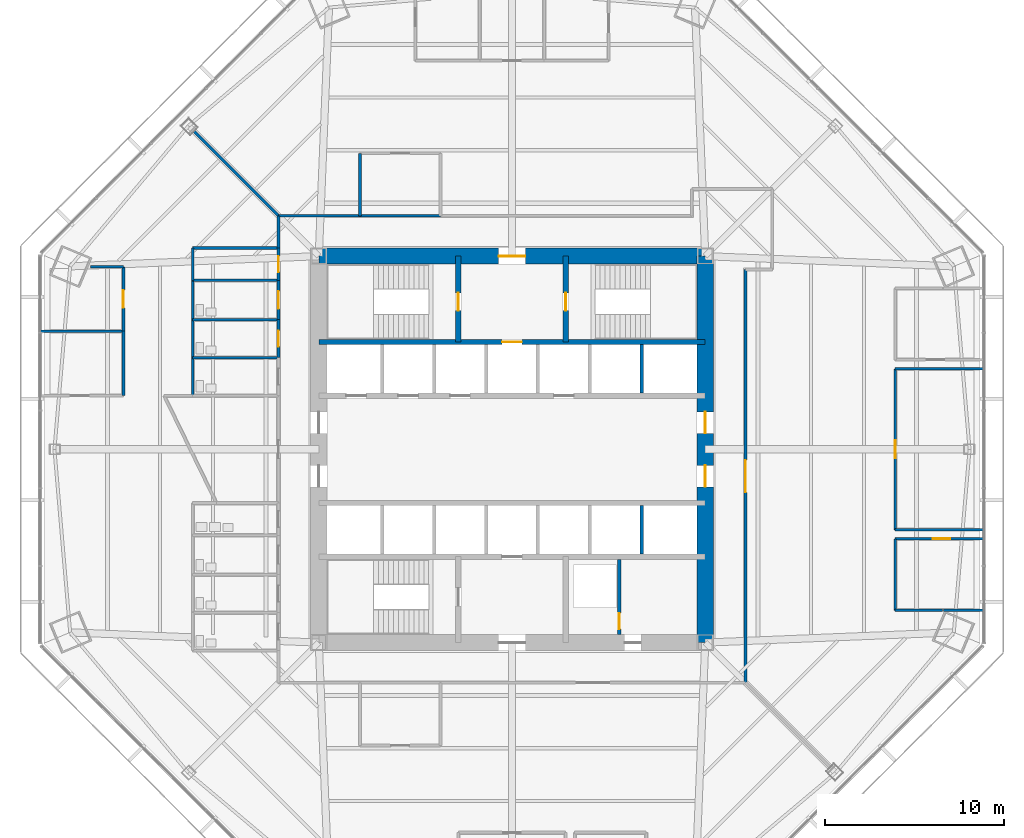
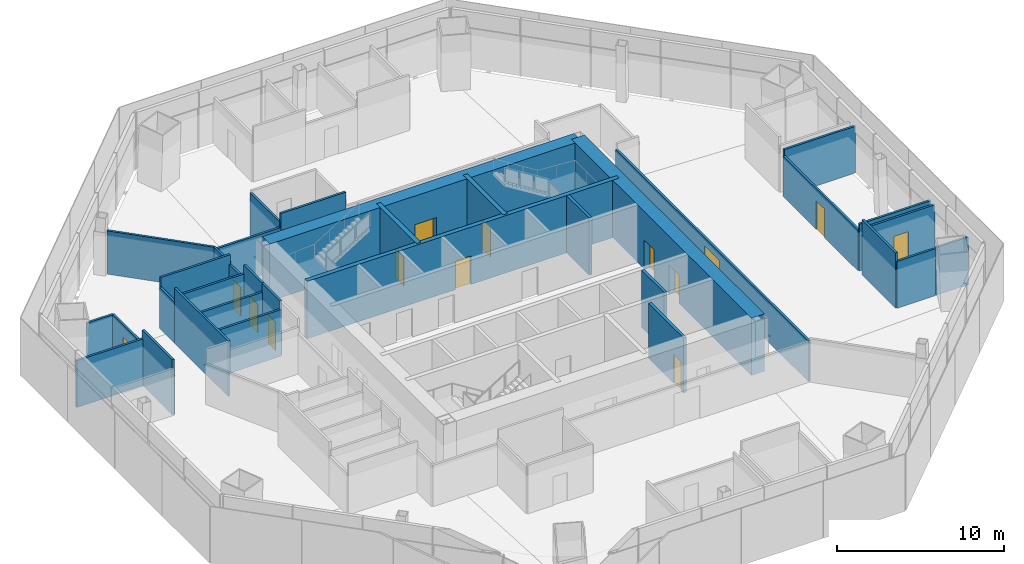
# One storey, part 11 of 15: 34 walls, 14 doors, 14 openings.
"""IFC4 building model written with IfcOpenShell, lengths in metres."""

from ifc_helpers import new_model, si_unit, direction, frame, frame_2d, origin, place, context, subcontext, project, spatial, rectangle, extrude, material, layer, layer_set, type_object, element, fill, save


model = new_model("IFC4")

# Units and contexts
model_context = context("Model", 3, precision=1e-05, world=origin(), true_north=direction((0.0, 1.0)))
body_context = subcontext(model_context, "Body", "Model", "MODEL_VIEW")
ifc_project = project(units=[si_unit("LENGTHUNIT", "METRE"), si_unit("AREAUNIT", "SQUARE_METRE"), si_unit("VOLUMEUNIT", "CUBIC_METRE"), si_unit("PLANEANGLEUNIT", "RADIAN"), si_unit("MASSUNIT", "GRAM", prefix="KILO")], contexts=[model_context])

# Site, building, storey
site_placement = place(None, origin())
site = spatial("IfcSite", under=ifc_project, at=site_placement, CompositionType="ELEMENT")
building_placement = place(site_placement, origin())
building = spatial("IfcBuilding", under=site, at=building_placement, Name="Mashrafa Tower", CompositionType="ELEMENT")
storey_placement = place(building_placement, frame((0.0, 0.0, 58.199951171875)))
storey = spatial("IfcBuildingStorey", under=building, at=storey_placement, Name="L12", CompositionType="ELEMENT", Elevation=58.199951171875)

# Wall, opening, door
ifc_material_1 = material(Name="Concrete masonry unit", Category="masonry")
ifc_layer_1 = layer(ifc_material_1, 0.199951171875)
ifc_layer_set_1 = layer_set([ifc_layer_1], Name="Blockwork wall 200 2 hr")
wall_type_1 = type_object("IfcWallType", Name="Blockwork wall 200 2 hr", PredefinedType="PARTITIONING", material=ifc_layer_set_1)
wall_1_placement = place(storey_placement, frame((6.0, -10.35009765625, 0.0), z_axis=(0.0, 0.0, 1.0), x_axis=(0.0, 1.0, 0.0)))
wall_1 = element("IfcWall", 1, at=wall_1_placement, inside=storey, type_object=wall_type_1, Name="Riser enclosure wall L12", PredefinedType="PARTITIONING", context=body_context, shape_type="SweptSolid", body=[
    extrude(rectangle(XDim=4.2001953125, YDim=0.199951171875, at=frame_2d((2.10009765625, 0.0))), origin(), (0.0, 0.0, 1.0), 4.03515625),
])
opening_1_placement = place(wall_1_placement, frame((0.300048828125, 0.0, 0.0)))
opening_1 = element("IfcOpeningElement", 2, at=opening_1_placement, cuts=wall_1, Name="Opening 12.034", PredefinedType="OPENING", context=body_context, shape_type="SweptSolid", body=[
    extrude(rectangle(XDim=0.89990234375, YDim=2.10009765625, at=frame_2d((0.449951171875, 1.050048828125))), frame((0.0, 0.10986328125, 0.0), z_axis=(0.0, -1.0, 0.0), x_axis=(1.0, 0.0, 0.0)), (0.0, 0.0, 1.0), 0.219970703125),
])
ifc_material_2 = material(Name="Steel door", Category="steel")
door_type_1 = type_object("IfcDoorType", Name="Service door 900 x 2100 90 min", OperationType="USERDEFINED", PredefinedType="DOOR", material=ifc_material_2)
door_1_placement = place(opening_1_placement, origin())
door_1 = element("IfcDoor", 3, at=door_1_placement, inside=storey, type_object=door_type_1, Name="Riser door L12", OperationType="SINGLE_SWING_LEFT", OverallHeight=2.10009765625, OverallWidth=0.89990234375, PredefinedType="DOOR", context=body_context, shape_type="SweptSolid", body=[
    extrude(rectangle(XDim=0.89990234375, YDim=2.10009765625, at=frame_2d((0.449951171875, 1.050048828125))), frame((0.0, 0.02490234375, 0.0), z_axis=(0.0, -1.0, 0.0), x_axis=(1.0, 0.0, 0.0)), (0.0, 0.0, 1.0), 0.050048828125),
])
fill(opening_1, door_1)

ifc_material_3 = material(Name="Concrete C60/75", Category="concrete")
ifc_layer_2 = layer(ifc_material_3, 0.300048828125)
ifc_layer_set_2 = layer_set([ifc_layer_2], Name="Core wall 300 C60/75")
wall_type_2 = type_object("IfcWallType", Name="Core wall 300 C60/75", PredefinedType="SOLIDWALL", material=ifc_layer_set_2)
wall_2_placement = place(storey_placement, frame((-10.800048828125, 6.0, 0.0), z_axis=(0.0, 0.0, 1.0), x_axis=(1.0, 0.0, 0.0)))
wall_2 = element("IfcWall", 4, at=wall_2_placement, inside=storey, type_object=wall_type_2, Name="Core wall CB-N L12", PredefinedType="SOLIDWALL", context=body_context, shape_type="SweptSolid", body=[
    extrude(rectangle(XDim=21.60009765625, YDim=0.300048828125, at=frame_2d((10.800048828125, 0.0))), origin(), (0.0, 0.0, 1.0), 4.199951171875),
])
opening_2_placement = place(wall_2_placement, frame((10.25, 0.0, 0.0)))
opening_2 = element("IfcOpeningElement", 5, at=opening_2_placement, cuts=wall_2, Name="Opening 12.F1", PredefinedType="OPENING", context=body_context, shape_type="SweptSolid", body=[
    extrude(rectangle(XDim=1.10009765625, YDim=2.10009765625, at=frame_2d((0.550048828125, 1.050048828125))), frame((0.0, 0.159912109375, 0.0), z_axis=(0.0, -1.0, 0.0), x_axis=(1.0, 0.0, 0.0)), (0.0, 0.0, 1.0), 0.320068359375),
])
ifc_material_4 = material(Name="Steel door", Category="steel")
door_type_2 = type_object("IfcDoorType", Name="Lift landing door 1100 x 2100 90 min", OperationType="DOUBLE_DOOR_SLIDING", PredefinedType="DOOR", material=ifc_material_4)
door_2_placement = place(opening_2_placement, origin())
door_2 = element("IfcDoor", 6, at=door_2_placement, inside=storey, type_object=door_type_2, Name="Lift landing door F1 L12", OperationType="DOUBLE_DOOR_SLIDING", OverallHeight=2.10009765625, OverallWidth=1.10009765625, PredefinedType="DOOR", context=body_context, shape_type="SweptSolid", body=[
    extrude(rectangle(XDim=1.10009765625, YDim=2.10009765625, at=frame_2d((0.550048828125, 1.050048828125))), frame((0.0, 0.02490234375, 0.0), z_axis=(0.0, -1.0, 0.0), x_axis=(1.0, 0.0, 0.0)), (0.0, 0.0, 1.0), 0.050048828125),
])
fill(opening_2, door_2)

wall_3_placement = place(storey_placement, frame((-3.0, 6.0, 0.0), z_axis=(0.0, 0.0, 1.0), x_axis=(0.0, 1.0, 0.0)))
wall_3 = element("IfcWall", 7, at=wall_3_placement, inside=storey, type_object=wall_type_2, Name="Core wall CX-NW L12", PredefinedType="SOLIDWALL", context=body_context, shape_type="SweptSolid", body=[
    extrude(rectangle(XDim=4.800048828125, YDim=0.300048828125, at=frame_2d((2.39990234375, 0.0))), origin(), (0.0, 0.0, 1.0), 4.199951171875),
])
opening_3_placement = place(wall_3_placement, frame((1.75, 0.0, 0.0)))
opening_3 = element("IfcOpeningElement", 8, at=opening_3_placement, cuts=wall_3, Name="Opening 12.030", PredefinedType="OPENING", context=body_context, shape_type="SweptSolid", body=[
    extrude(rectangle(XDim=1.0, YDim=2.10009765625, at=frame_2d((0.5, 1.050048828125))), frame((0.0, 0.159912109375, 0.0), z_axis=(0.0, -1.0, 0.0), x_axis=(1.0, 0.0, 0.0)), (0.0, 0.0, 1.0), 0.320068359375),
])
ifc_material_5 = material(Name="Steel door", Category="steel")
door_type_3 = type_object("IfcDoorType", Name="Stair door 1000 x 2100 90 min", OperationType="USERDEFINED", PredefinedType="DOOR", material=ifc_material_5)
door_3_placement = place(opening_3_placement, origin())
door_3 = element("IfcDoor", 9, at=door_3_placement, inside=storey, type_object=door_type_3, Name="Stair S1 door L12", OperationType="SINGLE_SWING_LEFT", OverallHeight=2.10009765625, OverallWidth=1.0, PredefinedType="DOOR", context=body_context, shape_type="SweptSolid", body=[
    extrude(rectangle(XDim=1.0, YDim=2.10009765625, at=frame_2d((0.5, 1.050048828125))), frame((0.0, 0.02490234375, 0.0), z_axis=(0.0, -1.0, 0.0), x_axis=(1.0, 0.0, 0.0)), (0.0, 0.0, 1.0), 0.050048828125),
])
fill(opening_3, door_3)

wall_4_placement = place(storey_placement, frame((3.0, 6.0, 0.0), z_axis=(0.0, 0.0, 1.0), x_axis=(0.0, 1.0, 0.0)))
wall_4 = element("IfcWall", 10, at=wall_4_placement, inside=storey, type_object=wall_type_2, Name="Core wall CX-NE L12", PredefinedType="SOLIDWALL", context=body_context, shape_type="SweptSolid", body=[
    extrude(rectangle(XDim=4.800048828125, YDim=0.300048828125, at=frame_2d((2.39990234375, 0.0))), origin(), (0.0, 0.0, 1.0), 4.199951171875),
])
opening_4_placement = place(wall_4_placement, frame((1.75, 0.0, 0.0)))
opening_4 = element("IfcOpeningElement", 11, at=opening_4_placement, cuts=wall_4, Name="Opening 12.031", PredefinedType="OPENING", context=body_context, shape_type="SweptSolid", body=[
    extrude(rectangle(XDim=1.0, YDim=2.10009765625, at=frame_2d((0.5, 1.050048828125))), frame((0.0, 0.159912109375, 0.0), z_axis=(0.0, -1.0, 0.0), x_axis=(1.0, 0.0, 0.0)), (0.0, 0.0, 1.0), 0.320068359375),
])
door_4_placement = place(opening_4_placement, frame((1.0, 0.0, 0.0), z_axis=(0.0, 0.0, 1.0), x_axis=(-1.0, 0.0, 0.0)))
door_4 = element("IfcDoor", 12, at=door_4_placement, inside=storey, type_object=door_type_3, Name="Stair S2 door L12", OperationType="SINGLE_SWING_RIGHT", OverallHeight=2.10009765625, OverallWidth=1.0, PredefinedType="DOOR", context=body_context, shape_type="SweptSolid", body=[
    extrude(rectangle(XDim=1.0, YDim=2.10009765625, at=frame_2d((0.5, 1.050048828125))), frame((0.0, 0.02490234375, 0.0), z_axis=(0.0, -1.0, 0.0), x_axis=(1.0, 0.0, 0.0)), (0.0, 0.0, 1.0), 0.050048828125),
])
fill(opening_4, door_4)

# Wall, openings, doors
ifc_material_6 = material(Name="Concrete C60/75", Category="concrete")
ifc_layer_3 = layer(ifc_material_6, 0.89990234375)
ifc_layer_set_3 = layer_set([ifc_layer_3], Name="Core wall 900 C60/75")
wall_type_3 = type_object("IfcWallType", Name="Core wall 900 C60/75", PredefinedType="SOLIDWALL", material=ifc_layer_set_3)
wall_5_placement = place(storey_placement, frame((10.800048828125, -10.800048828125, 0.0), z_axis=(0.0, 0.0, 1.0), x_axis=(0.0, 1.0, 0.0)))
wall_5 = element("IfcWall", 13, at=wall_5_placement, inside=storey, type_object=wall_type_3, Name="Core wall CW-E L12", PredefinedType="SOLIDWALL", context=body_context, shape_type="SweptSolid", body=[
    extrude(rectangle(XDim=21.60009765625, YDim=0.89990234375, at=frame_2d((10.800048828125, 0.0))), origin(), (0.0, 0.0, 1.0), 4.199951171875),
])
opening_5_placement = place(wall_5_placement, frame((11.699951171875, 0.0, 0.0)))
opening_5 = element("IfcOpeningElement", 14, at=opening_5_placement, cuts=wall_5, Name="Opening 12.024", PredefinedType="OPENING", context=body_context, shape_type="SweptSolid", body=[
    extrude(rectangle(XDim=1.199951171875, YDim=2.10009765625, at=frame_2d((0.60009765625, 1.050048828125))), frame((0.0, 0.4599609375, 0.0), z_axis=(0.0, -1.0, 0.0), x_axis=(1.0, 0.0, 0.0)), (0.0, 0.0, 1.0), 0.919921875),
])
opening_6_placement = place(wall_5_placement, frame((8.699951171875, 0.0, 0.0)))
opening_6 = element("IfcOpeningElement", 15, at=opening_6_placement, cuts=wall_5, Name="Opening 12.026", PredefinedType="OPENING", context=body_context, shape_type="SweptSolid", body=[
    extrude(rectangle(XDim=1.199951171875, YDim=2.10009765625, at=frame_2d((0.60009765625, 1.050048828125))), frame((0.0, 0.4599609375, 0.0), z_axis=(0.0, -1.0, 0.0), x_axis=(1.0, 0.0, 0.0)), (0.0, 0.0, 1.0), 0.919921875),
])
ifc_material_7 = material(Name="Steel door", Category="steel")
door_type_4 = type_object("IfcDoorType", Name="Lift hall door 1200 x 2100 90 min", OperationType="USERDEFINED", PredefinedType="DOOR", material=ifc_material_7)
door_5_placement = place(opening_5_placement, frame((1.199951171875, 0.0, 0.0), z_axis=(0.0, 0.0, 1.0), x_axis=(-1.0, 0.0, 0.0)))
door_5 = element("IfcDoor", 16, at=door_5_placement, inside=storey, type_object=door_type_4, Name="Lift hall door east L12", OperationType="SINGLE_SWING_LEFT", OverallHeight=2.10009765625, OverallWidth=1.199951171875, PredefinedType="DOOR", context=body_context, shape_type="SweptSolid", body=[
    extrude(rectangle(XDim=1.199951171875, YDim=2.10009765625, at=frame_2d((0.60009765625, 1.050048828125))), frame((0.0, 0.02490234375, 0.0), z_axis=(0.0, -1.0, 0.0), x_axis=(1.0, 0.0, 0.0)), (0.0, 0.0, 1.0), 0.050048828125),
])
fill(opening_5, door_5)
door_6_placement = place(opening_6_placement, origin())
door_6 = element("IfcDoor", 17, at=door_6_placement, inside=storey, type_object=door_type_4, Name="Lift hall door east L12", OperationType="SINGLE_SWING_LEFT", OverallHeight=2.10009765625, OverallWidth=1.199951171875, PredefinedType="DOOR", context=body_context, shape_type="SweptSolid", body=[
    extrude(rectangle(XDim=1.199951171875, YDim=2.10009765625, at=frame_2d((0.60009765625, 1.050048828125))), frame((0.0, 0.02490234375, 0.0), z_axis=(0.0, -1.0, 0.0), x_axis=(1.0, 0.0, 0.0)), (0.0, 0.0, 1.0), 0.050048828125),
])
fill(opening_6, door_6)

# Wall, opening, door
wall_6_placement = place(storey_placement, frame((10.800048828125, 10.800048828125, 0.0), z_axis=(0.0, 0.0, 1.0), x_axis=(-1.0, 0.0, 0.0)))
wall_6 = element("IfcWall", 18, at=wall_6_placement, inside=storey, type_object=wall_type_3, Name="Core wall CW-N L12", PredefinedType="SOLIDWALL", context=body_context, shape_type="SweptSolid", body=[
    extrude(rectangle(XDim=21.60009765625, YDim=0.89990234375, at=frame_2d((10.800048828125, 0.0))), origin(), (0.0, 0.0, 1.0), 4.199951171875),
])
opening_7_placement = place(wall_6_placement, frame((10.050048828125, 0.0, 0.0)))
opening_7 = element("IfcOpeningElement", 19, at=opening_7_placement, cuts=wall_6, Name="Opening 12.028", PredefinedType="OPENING", context=body_context, shape_type="SweptSolid", body=[
    extrude(rectangle(XDim=1.5, YDim=2.10009765625, at=frame_2d((0.75, 1.050048828125))), frame((0.0, 0.4599609375, 0.0), z_axis=(0.0, -1.0, 0.0), x_axis=(1.0, 0.0, 0.0)), (0.0, 0.0, 1.0), 0.919921875),
])
ifc_material_8 = material(Name="Steel door", Category="steel")
door_type_5 = type_object("IfcDoorType", Name="Lobby door pair 1500 x 2100 90 min", OperationType="DOUBLE_DOOR_SINGLE_SWING", PredefinedType="DOOR", material=ifc_material_8)
door_7_placement = place(opening_7_placement, origin())
door_7 = element("IfcDoor", 20, at=door_7_placement, inside=storey, type_object=door_type_5, Name="Fire-fighting lobby F1 door L12", OperationType="DOUBLE_DOOR_SINGLE_SWING", OverallHeight=2.10009765625, OverallWidth=1.5, PredefinedType="DOOR", context=body_context, shape_type="SweptSolid", body=[
    extrude(rectangle(XDim=1.5, YDim=2.10009765625, at=frame_2d((0.75, 1.050048828125))), frame((0.0, 0.02490234375, 0.0), z_axis=(0.0, -1.0, 0.0), x_axis=(1.0, 0.0, 0.0)), (0.0, 0.0, 1.0), 0.050048828125),
])
fill(opening_7, door_7)

ifc_material_9 = material(Name="Gypsum board on steel studs", Category="steel")
ifc_layer_4 = layer(ifc_material_9, 0.14990234375)
ifc_layer_set_4 = layer_set([ifc_layer_4], Name="Corridor partition 150 1 hr")
wall_type_4 = type_object("IfcWallType", Name="Corridor partition 150 1 hr", PredefinedType="PARTITIONING", material=ifc_layer_set_4)
wall_7_placement = place(storey_placement, frame((-13.050048828125, 7.2509765625, 0.0), z_axis=(0.0, 0.0, 1.0), x_axis=(0.0, -1.0, 0.0)))
wall_7 = element("IfcWall", 21, at=wall_7_placement, inside=storey, type_object=wall_type_4, Name="Corridor wall L12-002", PredefinedType="PARTITIONING", context=body_context, shape_type="SweptSolid", body=[
    extrude(rectangle(XDim=2.126953125, YDim=0.14990234375, at=frame_2d((1.0634765625, 0.0))), origin(), (0.0, 0.0, 1.0), 4.03515625),
])
opening_8_placement = place(wall_7_placement, frame((0.613525390625, 0.0, 0.0)))
opening_8 = element("IfcOpeningElement", 22, at=opening_8_placement, cuts=wall_7, Name="Opening 12.002", PredefinedType="OPENING", context=body_context, shape_type="SweptSolid", body=[
    extrude(rectangle(XDim=0.89990234375, YDim=2.10009765625, at=frame_2d((0.449951171875, 1.050048828125))), frame((0.0, 0.0849609375, 0.0), z_axis=(0.0, -1.0, 0.0), x_axis=(1.0, 0.0, 0.0)), (0.0, 0.0, 1.0), 0.169921875),
])
ifc_material_10 = material(Name="Timber door", Category="wood")
door_type_6 = type_object("IfcDoorType", Name="Toilet door 900 x 2100", OperationType="USERDEFINED", PredefinedType="DOOR", material=ifc_material_10)
door_8_placement = place(opening_8_placement, frame((0.89990234375, 0.0, 0.0), z_axis=(0.0, 0.0, 1.0), x_axis=(-1.0, 0.0, 0.0)))
door_8 = element("IfcDoor", 23, at=door_8_placement, inside=storey, type_object=door_type_6, Name="WC Male L12 N door", OperationType="SINGLE_SWING_LEFT", OverallHeight=2.10009765625, OverallWidth=0.89990234375, PredefinedType="DOOR", context=body_context, shape_type="SweptSolid", body=[
    extrude(rectangle(XDim=0.89990234375, YDim=2.10009765625, at=frame_2d((0.449951171875, 1.050048828125))), frame((0.0, 0.02490234375, 0.0), z_axis=(0.0, -1.0, 0.0), x_axis=(1.0, 0.0, 0.0)), (0.0, 0.0, 1.0), 0.050048828125),
])
fill(opening_8, door_8)

wall_8_placement = place(storey_placement, frame((-13.050048828125, 9.450927734375, 0.0), z_axis=(0.0, 0.0, 1.0), x_axis=(0.0, -1.0, 0.0)))
wall_8 = element("IfcWall", 24, at=wall_8_placement, inside=storey, type_object=wall_type_4, Name="Corridor wall L12-003", PredefinedType="PARTITIONING", context=body_context, shape_type="SweptSolid", body=[
    extrude(rectangle(XDim=2.201904296875, YDim=0.14990234375, at=frame_2d((1.10107421875, 0.0))), origin(), (0.0, 0.0, 1.0), 4.03515625),
])
opening_9_placement = place(wall_8_placement, frame((0.60107421875, 0.0, 0.0)))
opening_9 = element("IfcOpeningElement", 25, at=opening_9_placement, cuts=wall_8, Name="Opening 12.003", PredefinedType="OPENING", context=body_context, shape_type="SweptSolid", body=[
    extrude(rectangle(XDim=1.0, YDim=2.10009765625, at=frame_2d((0.5, 1.050048828125))), frame((0.0, 0.0849609375, 0.0), z_axis=(0.0, -1.0, 0.0), x_axis=(1.0, 0.0, 0.0)), (0.0, 0.0, 1.0), 0.169921875),
])
ifc_material_11 = material(Name="Timber door", Category="wood")
door_type_7 = type_object("IfcDoorType", Name="Accessible toilet door 1000 x 2100", OperationType="USERDEFINED", PredefinedType="DOOR", material=ifc_material_11)
door_9_placement = place(opening_9_placement, frame((1.0, 0.0, 0.0), z_axis=(0.0, 0.0, 1.0), x_axis=(-1.0, 0.0, 0.0)))
door_9 = element("IfcDoor", 26, at=door_9_placement, inside=storey, type_object=door_type_7, Name="Accessible WC L12 N door", OperationType="SINGLE_SWING_RIGHT", OverallHeight=2.10009765625, OverallWidth=1.0, PredefinedType="DOOR", context=body_context, shape_type="SweptSolid", body=[
    extrude(rectangle(XDim=1.0, YDim=2.10009765625, at=frame_2d((0.5, 1.050048828125))), frame((0.0, 0.02490234375, 0.0), z_axis=(0.0, -1.0, 0.0), x_axis=(1.0, 0.0, 0.0)), (0.0, 0.0, 1.0), 0.050048828125),
])
fill(opening_9, door_9)

wall_9_placement = place(storey_placement, frame((-13.050048828125, 11.2509765625, 0.0), z_axis=(0.0, 0.0, 1.0), x_axis=(0.0, -1.0, 0.0)))
wall_9 = element("IfcWall", 27, at=wall_9_placement, inside=storey, type_object=wall_type_4, Name="Corridor wall L12-004", PredefinedType="PARTITIONING", context=body_context, shape_type="SweptSolid", body=[
    extrude(rectangle(XDim=1.802001953125, YDim=0.14990234375, at=frame_2d((0.90087890625, 0.0))), origin(), (0.0, 0.0, 1.0), 3.01416015625),
])
opening_10_placement = place(wall_9_placement, frame((0.450927734375, 0.0, 0.0)))
opening_10 = element("IfcOpeningElement", 28, at=opening_10_placement, cuts=wall_9, Name="Opening 12.004", PredefinedType="OPENING", context=body_context, shape_type="SweptSolid", body=[
    extrude(rectangle(XDim=0.89990234375, YDim=2.10009765625, at=frame_2d((0.449951171875, 1.050048828125))), frame((0.0, 0.0849609375, 0.0), z_axis=(0.0, -1.0, 0.0), x_axis=(1.0, 0.0, 0.0)), (0.0, 0.0, 1.0), 0.169921875),
])
ifc_material_12 = material(Name="Timber door", Category="wood")
door_type_8 = type_object("IfcDoorType", Name="Store door 900 x 2100", OperationType="USERDEFINED", PredefinedType="DOOR", material=ifc_material_12)
door_10_placement = place(opening_10_placement, frame((0.89990234375, 0.0, 0.0), z_axis=(0.0, 0.0, 1.0), x_axis=(-1.0, 0.0, 0.0)))
door_10 = element("IfcDoor", 29, at=door_10_placement, inside=storey, type_object=door_type_8, Name="Cleaner's Store L12 N door", OperationType="SINGLE_SWING_LEFT", OverallHeight=2.10009765625, OverallWidth=0.89990234375, PredefinedType="DOOR", context=body_context, shape_type="SweptSolid", body=[
    extrude(rectangle(XDim=0.89990234375, YDim=2.10009765625, at=frame_2d((0.449951171875, 1.050048828125))), frame((0.0, 0.02490234375, 0.0), z_axis=(0.0, -1.0, 0.0), x_axis=(1.0, 0.0, 0.0)), (0.0, 0.0, 1.0), 0.050048828125),
])
fill(opening_10, door_10)

# Walls
wall_10_placement = place(storey_placement, frame((-3.9990234375, 13.050048828125, 0.0), z_axis=(0.0, 0.0, 1.0), x_axis=(-1.0, 0.0, 0.0)))
element("IfcWall", 30, at=wall_10_placement, inside=storey, type_object=wall_type_4, Name="Corridor wall L12-010", PredefinedType="PARTITIONING", context=body_context, shape_type="SweptSolid", body=[
    extrude(rectangle(XDim=4.501953125, YDim=0.14990234375, at=frame_2d((2.2509765625, 0.0))), origin(), (0.0, 0.0, 1.0), 4.03515625),
])
wall_11_placement = place(storey_placement, frame((-8.4990234375, 13.050048828125, 0.0), z_axis=(0.0, 0.0, 1.0), x_axis=(-1.0, 0.0, 0.0)))
element("IfcWall", 31, at=wall_11_placement, inside=storey, type_object=wall_type_4, Name="Corridor wall L12-012", PredefinedType="PARTITIONING", context=body_context, shape_type="SweptSolid", body=[
    extrude(rectangle(XDim=4.551025390625, YDim=0.14990234375, at=frame_2d((2.275390625, 0.0))), origin(), (0.0, 0.0, 1.0), 3.01416015625),
])

# Wall, opening, door
wall_12_placement = place(storey_placement, frame((13.050048828125, -13.050048828125, 0.0), z_axis=(0.0, 0.0, 1.0), x_axis=(0.0, 1.0, 0.0)))
wall_12 = element("IfcWall", 32, at=wall_12_placement, inside=storey, type_object=wall_type_4, Name="Corridor wall L12-013", PredefinedType="PARTITIONING", context=body_context, shape_type="SweptSolid", body=[
    extrude(rectangle(XDim=23.10009765625, YDim=0.14990234375, at=frame_2d((11.550048828125, 0.0))), origin(), (0.0, 0.0, 1.0), 2.983642578125),
])
opening_11_placement = place(wall_12_placement, frame((10.64990234375, 0.0, 0.0)))
opening_11 = element("IfcOpeningElement", 33, at=opening_11_placement, cuts=wall_12, Name="Opening 12.022", PredefinedType="OPENING", context=body_context, shape_type="SweptSolid", body=[
    extrude(rectangle(XDim=1.800048828125, YDim=2.39990234375, at=frame_2d((0.89990234375, 1.199951171875))), frame((0.0, 0.0849609375, 0.0), z_axis=(0.0, -1.0, 0.0), x_axis=(1.0, 0.0, 0.0)), (0.0, 0.0, 1.0), 0.169921875),
])
ifc_material_13 = material(Name="Timber door", Category="wood")
door_type_9 = type_object("IfcDoorType", Name="Door pair 1800 x 2400", OperationType="DOUBLE_DOOR_SINGLE_SWING", PredefinedType="DOOR", material=ifc_material_13)
door_11_placement = place(opening_11_placement, origin())
door_11 = element("IfcDoor", 34, at=door_11_placement, inside=storey, type_object=door_type_9, Name="Office Tenancy 12-A door", OperationType="DOUBLE_DOOR_SINGLE_SWING", OverallHeight=2.39990234375, OverallWidth=1.800048828125, PredefinedType="DOOR", context=body_context, shape_type="SweptSolid", body=[
    extrude(rectangle(XDim=1.800048828125, YDim=2.39990234375, at=frame_2d((0.89990234375, 1.199951171875))), frame((0.0, 0.02490234375, 0.0), z_axis=(0.0, -1.0, 0.0), x_axis=(1.0, 0.0, 0.0)), (0.0, 0.0, 1.0), 0.050048828125),
])
fill(opening_11, door_11)

# Walls
wall_13_placement = place(storey_placement, frame((-13.050048828125, 13.050048828125, 0.0), z_axis=(0.0, 0.0, 1.0), x_axis=(0.0, -1.0, 0.0)))
element("IfcWall", 35, at=wall_13_placement, inside=storey, type_object=wall_type_4, Name="Corridor wall L12-021", PredefinedType="PARTITIONING", context=body_context, shape_type="SweptSolid", body=[
    extrude(rectangle(XDim=1.801025390625, YDim=0.14990234375, at=frame_2d((0.900390625, 0.0))), origin(), (0.0, 0.0, 1.0), 3.16650390625),
])
ifc_material_14 = material(Name="Gypsum board on steel studs", Category="steel")
ifc_layer_5 = layer(ifc_material_14, 0.14990234375)
ifc_layer_set_5 = layer_set([ifc_layer_5], Name="Partition 150")
wall_type_5 = type_object("IfcWallType", Name="Partition 150", PredefinedType="PARTITIONING", material=ifc_layer_set_5)
wall_14_placement = place(storey_placement, frame((-13.050048828125, 5.125, 0.0), z_axis=(0.0, 0.0, 1.0), x_axis=(-1.0, 0.0, 0.0)))
element("IfcWall", 36, at=wall_14_placement, inside=storey, type_object=wall_type_5, Name="Partition wall L12-023", PredefinedType="PARTITIONING", context=body_context, shape_type="SweptSolid", body=[
    extrude(rectangle(XDim=4.800048828125, YDim=0.14990234375, at=frame_2d((2.39990234375, 0.0))), origin(), (0.0, 0.0, 1.0), 3.423095703125),
])
wall_15_placement = place(storey_placement, frame((-17.85009765625, 3.0, 0.0), z_axis=(0.0, 0.0, 1.0), x_axis=(0.0, 1.0, 0.0)))
element("IfcWall", 37, at=wall_15_placement, inside=storey, type_object=wall_type_5, Name="Partition wall L12-025", PredefinedType="PARTITIONING", context=body_context, shape_type="SweptSolid", body=[
    extrude(rectangle(XDim=6.449951171875, YDim=0.14990234375, at=frame_2d((3.22509765625, 0.0))), origin(), (0.0, 0.0, 1.0), 4.03515625),
])
for number, where, z_axis, x_axis, name in (
    (38, (-13.050048828125, 7.25, 0.0), (0.0, 0.0, 1.0), (-1.0, 0.0, 0.0), "Partition wall L12-026"),
    (39, (-13.050048828125, 9.449951171875, 0.0), (0.0, 0.0, 1.0), (-1.0, 0.0, 0.0), "Partition wall L12-028"),
):
    element("IfcWall", number, at=place(storey_placement, frame(where, z_axis=z_axis, x_axis=x_axis)), inside=storey, type_object=wall_type_5, Name=name, PredefinedType="PARTITIONING", context=body_context, shape_type="SweptSolid", body=[
        extrude(rectangle(XDim=4.800048828125, YDim=0.14990234375, at=frame_2d((2.39990234375, 0.0))), origin(), (0.0, 0.0, 1.0), 3.423095703125),
    ])
wall_16_placement = place(storey_placement, frame((-13.050048828125, 11.25, 0.0), z_axis=(0.0, 0.0, 1.0), x_axis=(-1.0, 0.0, 0.0)))
element("IfcWall", 40, at=wall_16_placement, inside=storey, type_object=wall_type_5, Name="Partition wall L12-030", PredefinedType="PARTITIONING", context=body_context, shape_type="SweptSolid", body=[
    extrude(rectangle(XDim=4.800048828125, YDim=0.14990234375, at=frame_2d((2.39990234375, 0.0))), origin(), (0.0, 0.0, 1.0), 3.715087890625),
])
wall_17_placement = place(storey_placement, frame((-17.85009765625, 11.25, 0.0), z_axis=(0.0, 0.0, 1.0), x_axis=(0.0, -1.0, 0.0)))
element("IfcWall", 41, at=wall_17_placement, inside=storey, type_object=wall_type_5, Name="Partition wall L12-031", PredefinedType="PARTITIONING", context=body_context, shape_type="SweptSolid", body=[
    extrude(rectangle(XDim=1.800048828125, YDim=0.14990234375, at=frame_2d((0.89990234375, 0.0))), origin(), (0.0, 0.0, 1.0), 3.01416015625),
])
wall_18_placement = place(storey_placement, frame((26.350341796875, 4.5, 0.0), z_axis=(0.0, 0.0, 1.0), x_axis=(-1.0, 0.0, 0.0)))
element("IfcWall", 42, at=wall_18_placement, inside=storey, type_object=wall_type_5, Name="Partition wall L12-044", PredefinedType="PARTITIONING", context=body_context, shape_type="SweptSolid", body=[
    extrude(rectangle(XDim=4.93212890625, YDim=0.14990234375, at=frame_2d((2.466064453125, 0.0))), origin(), (0.0, 0.0, 1.0), 3.423095703125),
])

# Wall, opening, door
wall_19_placement = place(storey_placement, frame((21.418212890625, 4.5, 0.0), z_axis=(0.0, 0.0, 1.0), x_axis=(0.0, -1.0, 0.0)))
wall_19 = element("IfcWall", 43, at=wall_19_placement, inside=storey, type_object=wall_type_5, Name="Partition wall L12-045", PredefinedType="PARTITIONING", context=body_context, shape_type="SweptSolid", body=[
    extrude(rectangle(XDim=9.0, YDim=0.14990234375, at=frame_2d((4.5, 0.0))), origin(), (0.0, 0.0, 1.0), 2.983642578125),
])
opening_12_placement = place(wall_19_placement, frame((4.0, 0.0, 0.0)))
opening_12 = element("IfcOpeningElement", 44, at=opening_12_placement, cuts=wall_19, Name="Opening 12.010", PredefinedType="OPENING", context=body_context, shape_type="SweptSolid", body=[
    extrude(rectangle(XDim=1.0, YDim=2.10009765625, at=frame_2d((0.5, 1.050048828125))), frame((0.0, 0.0849609375, 0.0), z_axis=(0.0, -1.0, 0.0), x_axis=(1.0, 0.0, 0.0)), (0.0, 0.0, 1.0), 0.169921875),
])
ifc_material_15 = material(Name="Timber door", Category="wood")
door_type_10 = type_object("IfcDoorType", Name="Door 1000 x 2100", OperationType="USERDEFINED", PredefinedType="DOOR", material=ifc_material_15)
door_12_placement = place(opening_12_placement, origin())
door_12 = element("IfcDoor", 45, at=door_12_placement, inside=storey, type_object=door_type_10, Name="Meeting Room 12-A door", OperationType="SINGLE_SWING_LEFT", OverallHeight=2.10009765625, OverallWidth=1.0, PredefinedType="DOOR", context=body_context, shape_type="SweptSolid", body=[
    extrude(rectangle(XDim=1.0, YDim=2.10009765625, at=frame_2d((0.5, 1.050048828125))), frame((0.0, 0.02490234375, 0.0), z_axis=(0.0, -1.0, 0.0), x_axis=(1.0, 0.0, 0.0)), (0.0, 0.0, 1.0), 0.050048828125),
])
fill(opening_12, door_12)

# Walls
wall_20_placement = place(storey_placement, frame((21.418212890625, -4.5, 0.0), z_axis=(0.0, 0.0, 1.0), x_axis=(1.0, 0.0, 0.0)))
element("IfcWall", 46, at=wall_20_placement, inside=storey, type_object=wall_type_5, Name="Partition wall L12-046", PredefinedType="PARTITIONING", context=body_context, shape_type="SweptSolid", body=[
    extrude(rectangle(XDim=4.93212890625, YDim=0.14990234375, at=frame_2d((2.466064453125, 0.0))), origin(), (0.0, 0.0, 1.0), 3.423095703125),
])
wall_21_placement = place(storey_placement, frame((-8.5, 16.550048828125, 0.0), z_axis=(0.0, 0.0, 1.0), x_axis=(0.0, -1.0, 0.0)))
element("IfcWall", 47, at=wall_21_placement, inside=storey, type_object=wall_type_5, Name="Partition wall L12-049", PredefinedType="PARTITIONING", context=body_context, shape_type="SweptSolid", body=[
    extrude(rectangle(XDim=3.5, YDim=0.14990234375, at=frame_2d((1.75, 0.0))), origin(), (0.0, 0.0, 1.0), 3.423095703125),
])
wall_22_placement = place(storey_placement, frame((-26.350341796875, 6.60205078125, 0.0), z_axis=(0.0, 0.0, 1.0), x_axis=(1.0, 0.0, 0.0)))
element("IfcWall", 48, at=wall_22_placement, inside=storey, type_object=wall_type_5, Name="Partition wall L12-063", PredefinedType="PARTITIONING", context=body_context, shape_type="SweptSolid", body=[
    extrude(rectangle(XDim=4.632080078125, YDim=0.14990234375, at=frame_2d((2.31591796875, 0.0))), origin(), (0.0, 0.0, 1.0), 3.423095703125),
])

# Wall, opening, door
wall_23_placement = place(storey_placement, frame((-21.71826171875, 6.60205078125, 0.0), z_axis=(0.0, 0.0, 1.0), x_axis=(0.0, 1.0, 0.0)))
wall_23 = element("IfcWall", 49, at=wall_23_placement, inside=storey, type_object=wall_type_5, Name="Partition wall L12-064", PredefinedType="PARTITIONING", context=body_context, shape_type="SweptSolid", body=[
    extrude(rectangle(XDim=3.599853515625, YDim=0.14990234375, at=frame_2d((1.7998046875, 0.0))), origin(), (0.0, 0.0, 1.0), 3.01416015625),
])
opening_13_placement = place(wall_23_placement, frame((1.300048828125, 0.0, 0.0)))
opening_13 = element("IfcOpeningElement", 50, at=opening_13_placement, cuts=wall_23, Name="Opening 12.017", PredefinedType="OPENING", context=body_context, shape_type="SweptSolid", body=[
    extrude(rectangle(XDim=1.0, YDim=2.10009765625, at=frame_2d((0.5, 1.050048828125))), frame((0.0, 0.0849609375, 0.0), z_axis=(0.0, -1.0, 0.0), x_axis=(1.0, 0.0, 0.0)), (0.0, 0.0, 1.0), 0.169921875),
])
door_13_placement = place(opening_13_placement, origin())
door_13 = element("IfcDoor", 51, at=door_13_placement, inside=storey, type_object=door_type_10, Name="Office 12-B-1 door", OperationType="SINGLE_SWING_LEFT", OverallHeight=2.10009765625, OverallWidth=1.0, PredefinedType="DOOR", context=body_context, shape_type="SweptSolid", body=[
    extrude(rectangle(XDim=1.0, YDim=2.10009765625, at=frame_2d((0.5, 1.050048828125))), frame((0.0, 0.02490234375, 0.0), z_axis=(0.0, -1.0, 0.0), x_axis=(1.0, 0.0, 0.0)), (0.0, 0.0, 1.0), 0.050048828125),
])
fill(opening_13, door_13)

# Walls
wall_24_placement = place(storey_placement, frame((-21.71826171875, 10.201904296875, 0.0), z_axis=(0.0, 0.0, 1.0), x_axis=(-1.0, 0.0, 0.0)))
element("IfcWall", 52, at=wall_24_placement, inside=storey, type_object=wall_type_5, Name="Partition wall L12-065", PredefinedType="PARTITIONING", context=body_context, shape_type="SweptSolid", body=[
    extrude(rectangle(XDim=1.847900390625, YDim=0.14990234375, at=frame_2d((0.923828125, 0.0))), origin(), (0.0, 0.0, 1.0), 3.01416015625),
])
wall_25_placement = place(storey_placement, frame((-21.71826171875, 3.001953125, 0.0), z_axis=(0.0, 0.0, 1.0), x_axis=(0.0, 1.0, 0.0)))
element("IfcWall", 53, at=wall_25_placement, inside=storey, type_object=wall_type_5, Name="Partition wall L12-067", PredefinedType="PARTITIONING", context=body_context, shape_type="SweptSolid", body=[
    extrude(rectangle(XDim=3.60009765625, YDim=0.14990234375, at=frame_2d((1.800048828125, 0.0))), origin(), (0.0, 0.0, 1.0), 4.03515625),
])

# Wall, opening, door
wall_26_placement = place(storey_placement, frame((26.352294921875, -5.0, 0.0), z_axis=(0.0, 0.0, 1.0), x_axis=(-1.0, 0.0, 0.0)))
wall_26 = element("IfcWall", 54, at=wall_26_placement, inside=storey, type_object=wall_type_5, Name="Partition wall L12-072", PredefinedType="PARTITIONING", context=body_context, shape_type="SweptSolid", body=[
    extrude(rectangle(XDim=4.93408203125, YDim=0.14990234375, at=frame_2d((2.467041015625, 0.0))), origin(), (0.0, 0.0, 1.0), 3.423095703125),
])
opening_14_placement = place(wall_26_placement, frame((1.84912109375, 0.0, 0.0)))
opening_14 = element("IfcOpeningElement", 55, at=opening_14_placement, cuts=wall_26, Name="Opening 12.020", PredefinedType="OPENING", context=body_context, shape_type="SweptSolid", body=[
    extrude(rectangle(XDim=1.0, YDim=2.10009765625, at=frame_2d((0.5, 1.050048828125))), frame((0.0, 0.0849609375, 0.0), z_axis=(0.0, -1.0, 0.0), x_axis=(1.0, 0.0, 0.0)), (0.0, 0.0, 1.0), 0.169921875),
])
door_14_placement = place(opening_14_placement, origin())
door_14 = element("IfcDoor", 56, at=door_14_placement, inside=storey, type_object=door_type_10, Name="Project Meeting Room 12-A2 door", OperationType="SINGLE_SWING_LEFT", OverallHeight=2.10009765625, OverallWidth=1.0, PredefinedType="DOOR", context=body_context, shape_type="SweptSolid", body=[
    extrude(rectangle(XDim=1.0, YDim=2.10009765625, at=frame_2d((0.5, 1.050048828125))), frame((0.0, 0.02490234375, 0.0), z_axis=(0.0, -1.0, 0.0), x_axis=(1.0, 0.0, 0.0)), (0.0, 0.0, 1.0), 0.050048828125),
])
fill(opening_14, door_14)

# Walls
wall_27_placement = place(storey_placement, frame((21.418212890625, -5.0, 0.0), z_axis=(0.0, 0.0, 1.0), x_axis=(0.0, -1.0, 0.0)))
element("IfcWall", 57, at=wall_27_placement, inside=storey, type_object=wall_type_5, Name="Partition wall L12-073", PredefinedType="PARTITIONING", context=body_context, shape_type="SweptSolid", body=[
    extrude(rectangle(XDim=4.0, YDim=0.14990234375, at=frame_2d((2.0, 0.0))), origin(), (0.0, 0.0, 1.0), 4.03515625),
])
wall_28_placement = place(storey_placement, frame((21.418212890625, -9.0, 0.0), z_axis=(0.0, 0.0, 1.0), x_axis=(1.0, 0.0, 0.0)))
element("IfcWall", 58, at=wall_28_placement, inside=storey, type_object=wall_type_5, Name="Partition wall L12-074", PredefinedType="PARTITIONING", context=body_context, shape_type="SweptSolid", body=[
    extrude(rectangle(XDim=2.645751953125, YDim=0.14990234375, at=frame_2d((1.32275390625, 0.0))), origin(), (0.0, 0.0, 1.0), 3.423095703125),
])
wall_29_placement = place(storey_placement, frame((24.12939453125, -9.0, 0.0), z_axis=(0.0, 0.0, 1.0), x_axis=(1.0, 0.0, 0.0)))
element("IfcWall", 59, at=wall_29_placement, inside=storey, type_object=wall_type_5, Name="Partition wall L12-075", PredefinedType="PARTITIONING", context=body_context, shape_type="SweptSolid", body=[
    extrude(rectangle(XDim=2.220947265625, YDim=0.14990234375, at=frame_2d((1.1103515625, 0.0))), origin(), (0.0, 0.0, 1.0), 3.496826171875),
])
wall_30_placement = place(storey_placement, frame((-17.77001953125, 17.77001953125, 0.0), z_axis=(0.0, 0.0, 1.0), x_axis=(0.707106781187, -0.707106781187, 0.0)))
element("IfcWall", 60, at=wall_30_placement, inside=storey, type_object=wall_type_5, Name="Partition wall L12-079", PredefinedType="PARTITIONING", context=body_context, shape_type="SweptSolid", body=[
    extrude(rectangle(XDim=6.675048828125, YDim=0.14990234375, at=frame_2d((3.33740234375, 0.0))), origin(), (0.0, 0.0, 1.0), 3.16650390625),
])
ifc_material_16 = material(Name="Gypsum shaft wall on steel studs", Category="steel")
ifc_layer_6 = layer(ifc_material_16, 0.199951171875)
ifc_layer_set_6 = layer_set([ifc_layer_6], Name="Shaft divider wall 200 2 hr")
wall_type_6 = type_object("IfcWallType", Name="Shaft divider wall 200 2 hr", PredefinedType="PARTITIONING", material=ifc_layer_set_6)
for number, where, z_axis, x_axis, name in (
    (61, (7.25, 3.14990234375, 0.0), (0.0, 0.0, 1.0), (0.0, 1.0, 0.0), "Shaft divider wall N6 L12"),
    (62, (7.25, -5.85009765625, 0.0), (0.0, 0.0, 1.0), (0.0, 1.0, 0.0), "Shaft divider wall S6 L12"),
):
    element("IfcWall", number, at=place(storey_placement, frame(where, z_axis=z_axis, x_axis=x_axis)), inside=storey, type_object=wall_type_6, Name=name, PredefinedType="PARTITIONING", context=body_context, shape_type="SweptSolid", body=[
        extrude(rectangle(XDim=2.7001953125, YDim=0.199951171875, at=frame_2d((1.35009765625, 0.0))), origin(), (0.0, 0.0, 1.0), 4.199951171875),
    ])

save(model, "model.ifc")
